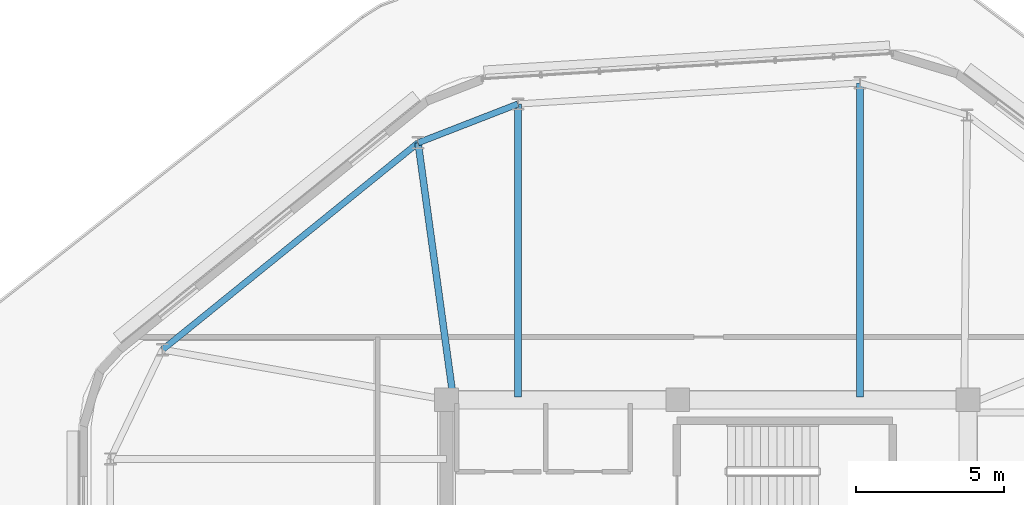
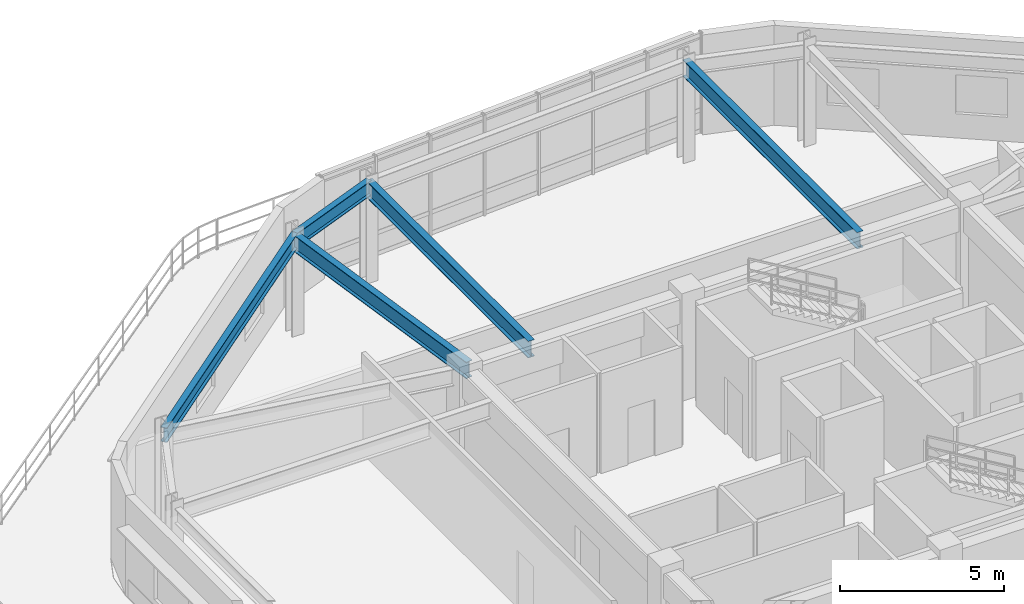
# One storey, part 5 of 13: 5 beams.
"""IFC4 building model written with IfcOpenShell, lengths in metres."""

import ifcopenshell
import ifcopenshell.guid

model = None  # the IFC model being written
_history = None  # IfcOwnerHistory: only IFC2X3 demands one
_inside = {}  # id of a spatial element -> (the spatial element, [elements in it])
_under = {}  # id of a project, library or spatial element -> (it, [spatial elements below it])
_declared = {}  # id of a project -> (the project, [libraries it declares])
_typed = {}  # id of a type object -> (the type object, [elements of that type])
_made_of = {}  # id of a material, layer set ... -> (it, [elements and type objects made of it])


def new_model(schema):
    """Start an empty IFC model of exactly this schema.

    Asked for "IFC4X3", IfcOpenShell would pick the latest addendum, in which some entities
    have other attributes; the version numbers below select the first issue.
    IFC2X3 requires an IfcOwnerHistory on every rooted entity: one is made here for all.
    """
    global model, _history
    if schema == "IFC4X3":
        model = ifcopenshell.file(schema_version=(4, 3, 0, 0))
    else:
        model = ifcopenshell.file(schema=schema)
    _inside.clear()
    _under.clear()
    _declared.clear()
    _typed.clear()
    _made_of.clear()
    _history = None
    if model.schema == "IFC2X3":
        org = make("IfcOrganization", Name="unknown")
        user = make(
            "IfcPersonAndOrganization",
            ThePerson=make("IfcPerson", FamilyName="unknown"),
            TheOrganization=org,
        )
        app = make(
            "IfcApplication",
            ApplicationDeveloper=org,
            Version="unknown",
            ApplicationFullName="unknown",
            ApplicationIdentifier="unknown",
        )
        _history = make(
            "IfcOwnerHistory",
            OwningUser=user,
            OwningApplication=app,
            ChangeAction="ADDED",
            CreationDate=0,
        )
    return model


def make(cls, **values):
    """One entity of the class cls with the attributes given. An attribute that is None is left unset."""
    return model.create_entity(
        cls, **{name: value for name, value in values.items() if value is not None}
    )


def rooted(cls, **values):
    """An entity with a GlobalId (a new one), such as an element, a storey or a relation."""
    return make(cls, GlobalId=ifcopenshell.guid.new(), OwnerHistory=_history, **values)


def si_unit(unit_type, name, prefix=None):
    """IfcSIUnit, for example si_unit("LENGTHUNIT", "METRE", prefix="MILLI")."""
    return make("IfcSIUnit", UnitType=unit_type, Prefix=prefix, Name=name)


def assignment(units):
    """IfcUnitAssignment: the units of a project."""
    return None if units is None else make("IfcUnitAssignment", Units=units)


def point(xyz):
    """IfcCartesianPoint."""
    return None if xyz is None else make("IfcCartesianPoint", Coordinates=xyz)


def direction(xyz):
    """IfcDirection."""
    return None if xyz is None else make("IfcDirection", DirectionRatios=xyz)


def frame(location, z_axis=None, x_axis=None):
    """IfcAxis2Placement3D, a coordinate frame: its origin and axes. An axis left out is left unset."""
    return make(
        "IfcAxis2Placement3D",
        Location=point(location),
        Axis=direction(z_axis),
        RefDirection=direction(x_axis),
    )


def frame_2d(location, x_axis=None):
    """IfcAxis2Placement2D, a coordinate frame in the plane: its origin and x axis."""
    return make(
        "IfcAxis2Placement2D", Location=point(location), RefDirection=direction(x_axis)
    )


def origin():
    """The frame at (0, 0, 0) with its axes left unset."""
    return frame((0.0, 0.0, 0.0))


def origin_2d():
    """The frame at (0, 0) in the plane with its x axis left unset."""
    return frame_2d((0.0, 0.0))


def place(relative_to, where):
    """IfcLocalPlacement: puts the frame where relative to a parent placement (None: the world)."""
    return make(
        "IfcLocalPlacement", PlacementRelTo=relative_to, RelativePlacement=where
    )


def context(
    kind, dimensions, precision=None, world=None, true_north=None, identifier=None
):
    """IfcGeometricRepresentationContext, for example the 3D "Model" context."""
    return make(
        "IfcGeometricRepresentationContext",
        ContextIdentifier=identifier,
        ContextType=kind,
        CoordinateSpaceDimension=dimensions,
        Precision=precision,
        WorldCoordinateSystem=world,
        TrueNorth=true_north,
    )


def subcontext(parent, identifier, kind, view, scale=None):
    """IfcGeometricRepresentationSubContext, for example "Body" below "Model"."""
    return make(
        "IfcGeometricRepresentationSubContext",
        ContextIdentifier=identifier,
        ContextType=kind,
        ParentContext=parent,
        TargetScale=scale,
        TargetView=view,
    )


def project(units=None, contexts=None):
    """IfcProject with its units and contexts."""
    return rooted(
        "IfcProject",
        Name="project",
        RepresentationContexts=contexts,
        UnitsInContext=assignment(units),
    )


def spatial(cls, under=None, at=None, **own):
    """A site, building, storey or space (cls), placed at a placement, below another one or the project."""
    s = rooted(cls, ObjectPlacement=at, **own)
    if under is not None:
        _under.setdefault(under.id(), (under, []))[1].append(s)
    return s


def profile(cls, at=None, kind="AREA", **sizes):
    """A parametric profile (cls). Its sizes go by their IFC names, for example OverallWidth=200.0."""
    return make(cls, ProfileType=kind, Position=at, **sizes)


def i_section(**sizes):
    """IfcIShapeProfileDef."""
    return profile("IfcIShapeProfileDef", **sizes)


def extrude(swept, where, along, depth):
    """IfcExtrudedAreaSolid: the profile swept, set in the frame where, extruded along a direction by depth."""
    return make(
        "IfcExtrudedAreaSolid",
        SweptArea=swept,
        Position=where,
        ExtrudedDirection=direction(along),
        Depth=depth,
    )


def shape(context_of_items, identifier, shape_type, items):
    """IfcShapeRepresentation: the items that make up one representation, for example the "Body"."""
    return make(
        "IfcShapeRepresentation",
        ContextOfItems=context_of_items,
        RepresentationIdentifier=identifier,
        RepresentationType=shape_type,
        Items=items,
    )


def material(Name=None, Category=None):
    """IfcMaterial."""
    return make("IfcMaterial", Name=Name, Category=Category)


def material_profile(
    of_material, cross_section, Name=None, Category=None, Priority=None
):
    """IfcMaterialProfile: a cross section and its material."""
    return make(
        "IfcMaterialProfile",
        Name=Name,
        Material=of_material,
        Profile=cross_section,
        Priority=Priority,
        Category=Category,
    )


def profile_set(profiles, Name=None, composite=None):
    """IfcMaterialProfileSet."""
    return make(
        "IfcMaterialProfileSet",
        Name=Name,
        MaterialProfiles=profiles,
        CompositeProfile=composite,
    )


def made_of(thing, what):
    """Note that an element or type object is made of a material, layer set ...; save() writes the relation."""
    if what is not None:
        _made_of.setdefault(what.id(), (what, []))[1].append(thing)
    return thing


def type_object(cls, material=None, **own):
    """A type object (cls), such as IfcWallType, which elements share."""
    return made_of(rooted(cls, **own), material)


def element(
    cls,
    number,
    at=None,
    inside=None,
    cuts=None,
    type_object=None,
    material=None,
    context=None,
    identifier="Body",
    shape_type=None,
    held_by="IfcProductDefinitionShape",
    body=None,
    shapes=None,
    **own,
):
    """One element of the class cls, such as IfcWall. Its Tag is "e" and its number.

    at: its placement. inside: the storey or other place that contains it. cuts: it is an
    opening in that element (IfcRelVoidsElement). A single representation is given by context,
    identifier, shape_type and body (its items); several are given by shapes. held_by: the class
    of the entity that holds the representations. save() writes the other relations.
    """
    e = rooted(cls, Tag="e%d" % number, ObjectPlacement=at, **own)
    if body is not None:
        shapes = [shape(context, identifier, shape_type, body)]
    if shapes is not None:
        e.Representation = make(held_by, Representations=shapes)
    if inside is not None:
        _inside.setdefault(inside.id(), (inside, []))[1].append(e)
    if cuts is not None:
        rooted(
            "IfcRelVoidsElement", RelatingBuildingElement=cuts, RelatedOpeningElement=e
        )
    if type_object is not None:
        _typed.setdefault(type_object.id(), (type_object, []))[1].append(e)
    return made_of(e, material)


def aggregate(whole, parts):
    """IfcRelAggregates: a whole, such as a stair, and the parts it consists of."""
    return rooted("IfcRelAggregates", RelatingObject=whole, RelatedObjects=parts)


def save(model, path):
    """Write the relations noted so far, then the file.

    IfcRelAggregates (storeys below a building ...), IfcRelContainedInSpatialStructure (elements
    in a storey), IfcRelDefinesByType, IfcRelAssociatesMaterial and IfcRelDeclares: one each for
    every whole, place, type object, material and project.
    """
    for whole, parts in _under.values():
        aggregate(whole, parts)
    for where, things in _inside.values():
        rooted(
            "IfcRelContainedInSpatialStructure",
            RelatedElements=things,
            RelatingStructure=where,
        )
    for kind, things in _typed.values():
        rooted("IfcRelDefinesByType", RelatedObjects=things, RelatingType=kind)
    for what, things in _made_of.values():
        rooted("IfcRelAssociatesMaterial", RelatedObjects=things, RelatingMaterial=what)
    for by, libraries in _declared.values():
        rooted("IfcRelDeclares", RelatingContext=by, RelatedDefinitions=libraries)
    model.write(path)


model = new_model("IFC4")

# Units and contexts
model_context = context("Model", 3, precision=1e-05, world=origin(), true_north=direction((0.0, 1.0)))
body_context = subcontext(model_context, "Body", "Model", "MODEL_VIEW")
ifc_project = project(units=[si_unit("LENGTHUNIT", "METRE"), si_unit("AREAUNIT", "SQUARE_METRE"), si_unit("VOLUMEUNIT", "CUBIC_METRE"), si_unit("PLANEANGLEUNIT", "RADIAN"), si_unit("MASSUNIT", "GRAM", prefix="KILO")], contexts=[model_context])

# Site, building, storey
site_placement = place(None, origin())
site = spatial("IfcSite", under=ifc_project, at=site_placement, CompositionType="ELEMENT")
building_placement = place(site_placement, origin())
building = spatial("IfcBuilding", under=site, at=building_placement, Name="Zulverin Broadcast Headquarters", CompositionType="ELEMENT")
storey_placement = place(building_placement, frame((0.0, 0.0, 313.39990234375)))
storey = spatial("IfcBuildingStorey", under=building, at=storey_placement, Name="C1", CompositionType="ELEMENT", Elevation=313.39990234375)

# Beams
ifc_material = material(Name="Structural steel S355JR", Category="steel")
ifc_material_profile_1 = material_profile(ifc_material, i_section(OverallWidth=0.2119140625, OverallDepth=0.54443359375, WebThickness=0.0126953125, FlangeThickness=0.021240234375, at=origin_2d()), Name="Structural steel S355JR", Category="steel")
ifc_profile_set_1 = profile_set([ifc_material_profile_1], Name="Structural steel S355JR")
beam_type_1 = type_object("IfcBeamType", Name="BM-UB-533", PredefinedType="SPANDREL", material=ifc_profile_set_1)
beam_1_placement = place(storey_placement, frame((33.041259765625, 43.089599609375, 3.447998046875), z_axis=(-0.931976838329, -0.362517824138, 0.0), x_axis=(0.362517824138, -0.931976838329, 0.0)))
element("IfcBeam", 1, at=beam_1_placement, inside=storey, type_object=beam_type_1, Name="C1 Perimeter Spandrel Beam SP-10", PredefinedType="SPANDREL", context=body_context, shape_type="SweptSolid", body=[
    extrude(i_section(OverallWidth=0.2119140625, OverallDepth=0.54443359375, WebThickness=0.0126953125, FlangeThickness=0.021240234375, at=origin_2d()), origin(), (0.0, 0.0, 1.0), 3.621826171875),
])
beam_2_placement = place(storey_placement, frame((29.665771484375, 41.776611328125, 3.447998046875), z_axis=(-0.777322523018, -0.62910229312, 0.0), x_axis=(0.62910229312, -0.777322523018, 0.0)))
element("IfcBeam", 2, at=beam_2_placement, inside=storey, type_object=beam_type_1, Name="C1 Perimeter Spandrel Beam SP-11", PredefinedType="SPANDREL", context=body_context, shape_type="SweptSolid", body=[
    extrude(i_section(OverallWidth=0.2119140625, OverallDepth=0.54443359375, WebThickness=0.0126953125, FlangeThickness=0.021240234375, at=origin_2d()), origin(), (0.0, 0.0, 1.0), 11.128173828125),
])
ifc_material_profile_2 = material_profile(ifc_material, i_section(OverallWidth=0.230224609375, OverallDepth=0.6171875, WebThickness=0.01318359375, FlangeThickness=0.022216796875, at=origin_2d()), Name="Structural steel S355JR", Category="steel")
ifc_profile_set_2 = profile_set([ifc_material_profile_2], Name="Structural steel S355JR")
beam_type_2 = type_object("IfcBeamType", Name="BM-UB-610", PredefinedType="BEAM", material=ifc_profile_set_2)
beam_3_placement = place(storey_placement, frame((44.622314453125, 33.175048828125, 3.411376953125), z_axis=(0.0, 1.0, 0.0), x_axis=(-1.0, 0.0, 0.0)))
element("IfcBeam", 3, at=beam_3_placement, inside=storey, type_object=beam_type_2, Name="C1 Radial Primary Floor Beam RB-09", PredefinedType="BEAM", context=body_context, shape_type="SweptSolid", body=[
    extrude(i_section(OverallWidth=0.230224609375, OverallDepth=0.6171875, WebThickness=0.01318359375, FlangeThickness=0.022216796875, at=origin_2d()), origin(), (0.0, 0.0, 1.0), 10.629150390625),
])
beam_4_placement = place(storey_placement, frame((33.041259765625, 33.175048828125, 3.411376953125), z_axis=(0.0, 1.0, 0.0), x_axis=(-1.0, 0.0, 0.0)))
element("IfcBeam", 4, at=beam_4_placement, inside=storey, type_object=beam_type_2, Name="C1 Radial Primary Floor Beam RB-10", PredefinedType="BEAM", context=body_context, shape_type="SweptSolid", body=[
    extrude(i_section(OverallWidth=0.230224609375, OverallDepth=0.6171875, WebThickness=0.01318359375, FlangeThickness=0.022216796875, at=origin_2d()), origin(), (0.0, 0.0, 1.0), 9.91455078125),
])
beam_5_placement = place(storey_placement, frame((30.85009765625, 33.175048828125, 3.411376953125), z_axis=(-0.136400473555, 0.990653779488, 0.0), x_axis=(-0.990653779488, -0.136400473555, 0.0)))
element("IfcBeam", 5, at=beam_5_placement, inside=storey, type_object=beam_type_2, Name="C1 Radial Primary Floor Beam RB-11", PredefinedType="BEAM", context=body_context, shape_type="SweptSolid", body=[
    extrude(i_section(OverallWidth=0.230224609375, OverallDepth=0.6171875, WebThickness=0.01318359375, FlangeThickness=0.022216796875, at=origin_2d()), origin(), (0.0, 0.0, 1.0), 8.6826171875),
])

save(model, "model.ifc")
